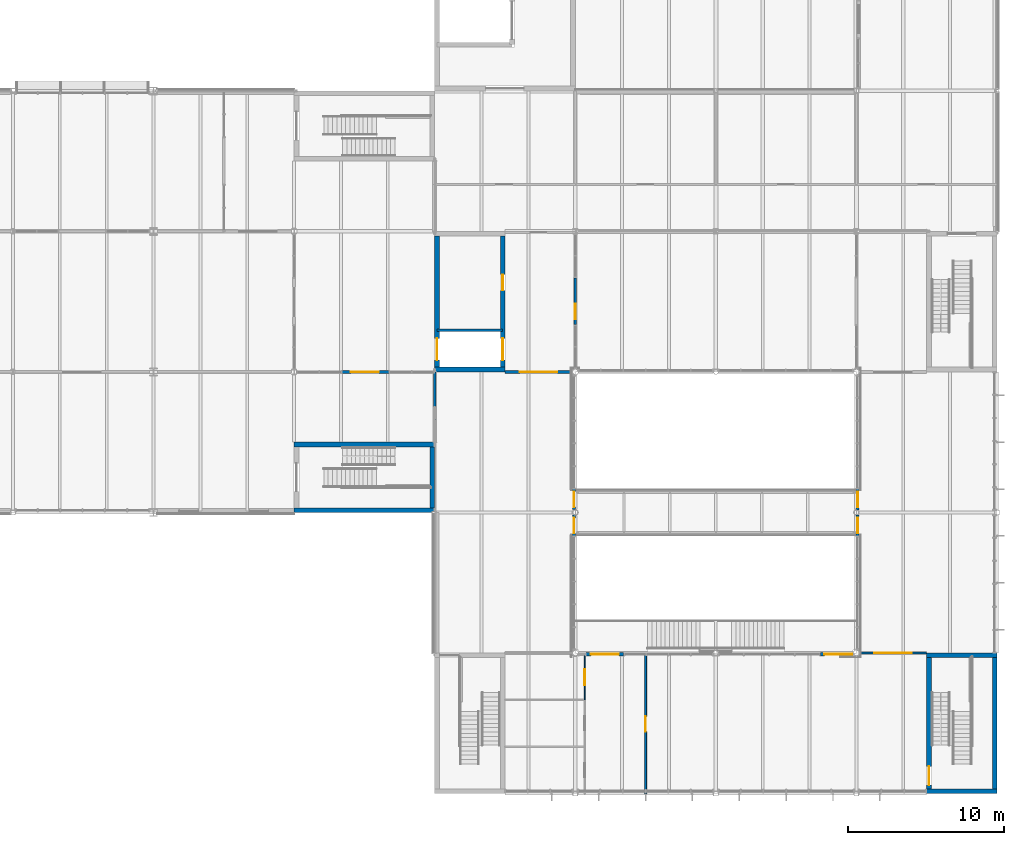
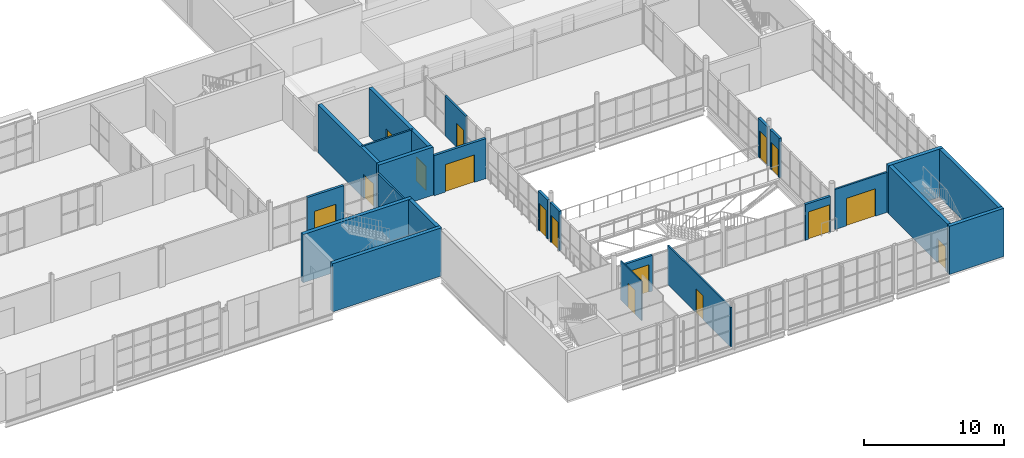
# One storey, part 43 of 61: 24 walls, 16 doors, 16 openings.
"""IFC4 building model written with IfcOpenShell, lengths in metres."""

from ifc_helpers import new_model, si_unit, direction, frame, frame_2d, origin, place, context, subcontext, project, spatial, rectangle, extrude, material, layer, layer_set, type_object, element, fill, save


model = new_model("IFC4")

# Units and contexts
model_context = context("Model", 3, precision=1e-05, world=origin(), true_north=direction((0.0, 1.0)))
body_context = subcontext(model_context, "Body", "Model", "MODEL_VIEW")
ifc_project = project(units=[si_unit("LENGTHUNIT", "METRE"), si_unit("AREAUNIT", "SQUARE_METRE"), si_unit("VOLUMEUNIT", "CUBIC_METRE"), si_unit("PLANEANGLEUNIT", "RADIAN"), si_unit("MASSUNIT", "GRAM", prefix="KILO")], contexts=[model_context])

# Site, building, storey
site_placement = place(None, origin())
site = spatial("IfcSite", under=ifc_project, at=site_placement, CompositionType="ELEMENT")
building_placement = place(site_placement, origin())
building = spatial("IfcBuilding", under=site, at=building_placement, Name="Halyard Row Museum", CompositionType="ELEMENT")
storey_placement = place(building_placement, frame((0.0, 0.0, 9.199951171875)))
storey = spatial("IfcBuildingStorey", under=building, at=storey_placement, Name="L02", CompositionType="ELEMENT", Elevation=9.199951171875)

# Wall, opening, door
ifc_material_1 = material(Name="Fire-resisting plasterboard on steel studs", Category="steel")
ifc_layer_1 = layer(ifc_material_1, 0.14990234375)
ifc_layer_set_1 = layer_set([ifc_layer_1], Name="Fire-resisting plasterboard on steel studs")
wall_type_1 = type_object("IfcWallType", Name="Compartment wall 150 fire rated", PredefinedType="PARTITIONING", material=ifc_layer_set_1)
wall_1_placement = place(storey_placement, frame((81.0, 30.021484375, 0.0), z_axis=(0.0, 0.0, 1.0), x_axis=(0.0, 1.0, 0.0)))
wall_1 = element("IfcWall", 1, at=wall_1_placement, inside=storey, type_object=wall_type_1, Name="Partition Lift Lobby L02 East / Digitisation Laboratory", PredefinedType="PARTITIONING", context=body_context, shape_type="SweptSolid", body=[
    extrude(rectangle(XDim=3.0, YDim=0.14990234375, at=frame_2d((1.5, 0.0))), origin(), (0.0, 0.0, 1.0), 3.501953125),
])
opening_1_placement = place(wall_1_placement, frame((0.35009765625, 0.0, 0.0)))
opening_1 = element("IfcOpeningElement", 2, at=opening_1_placement, cuts=wall_1, Name="Opening DL02-030", PredefinedType="OPENING", context=body_context, shape_type="SweptSolid", body=[
    extrude(rectangle(XDim=1.0, YDim=2.10009765625, at=frame_2d((0.5, 1.050048828125))), frame((0.0, 0.0849609375, 0.0), z_axis=(0.0, -1.0, 0.0), x_axis=(1.0, 0.0, 0.0)), (0.0, 0.0, 1.0), 0.169921875),
])
ifc_material_2 = material(Name="Fire-resisting timber door leaf and steel frame", Category="steel")
door_type_1 = type_object("IfcDoorType", Name="Compartment door 1000 x 2100 fire rated", OperationType="NOTDEFINED", PredefinedType="DOOR", material=ifc_material_2)
door_1_placement = place(opening_1_placement, frame((1.0, 0.0, 0.0), z_axis=(0.0, 0.0, 1.0), x_axis=(-1.0, 0.0, 0.0)))
door_1 = element("IfcDoor", 3, at=door_1_placement, inside=storey, type_object=door_type_1, Name="Door Digitisation Laboratory to Lift Lobby L02 East", OperationType="SINGLE_SWING_LEFT", OverallHeight=2.10009765625, OverallWidth=1.0, PredefinedType="DOOR", context=body_context, shape_type="SweptSolid", body=[
    extrude(rectangle(XDim=1.0, YDim=2.10009765625, at=frame_2d((0.5, 1.050048828125))), frame((0.0, 0.02490234375, 0.0), z_axis=(0.0, -1.0, 0.0), x_axis=(1.0, 0.0, 0.0)), (0.0, 0.0, 1.0), 0.050048828125),
])
fill(opening_1, door_1)

# Wall
ifc_material_3 = material(Name="Concrete 40 MPa", Category="concrete")
ifc_layer_2 = layer(ifc_material_3, 0.300048828125)
ifc_layer_set_2 = layer_set([ifc_layer_2], Name="Concrete 40 MPa")
wall_type_2 = type_object("IfcWallType", Name="Core wall 300 lift shaft", PredefinedType="SOLIDWALL", material=ifc_layer_set_2)
wall_2_placement = place(storey_placement, frame((72.0, 27.14990234375, 0.0), z_axis=(0.0, 0.0, 1.0), x_axis=(1.0, 0.0, 0.0)))
element("IfcWall", 4, at=wall_2_placement, inside=storey, type_object=wall_type_2, Name="Core wall K7 S L02", PredefinedType="SOLIDWALL", context=body_context, shape_type="SweptSolid", body=[
    extrude(rectangle(XDim=4.5, YDim=0.300048828125, at=frame_2d((2.25, 0.0))), origin(), (0.0, 0.0, 1.0), 4.199951171875),
])

# Wall, openings, doors
wall_3_placement = place(storey_placement, frame((76.35009765625, 27.300048828125, 0.0), z_axis=(0.0, 0.0, 1.0), x_axis=(0.0, 1.0, 0.0)))
wall_3 = element("IfcWall", 5, at=wall_3_placement, inside=storey, type_object=wall_type_2, Name="Core wall K7 E L02", PredefinedType="SOLIDWALL", context=body_context, shape_type="SweptSolid", body=[
    extrude(rectangle(XDim=8.39990234375, YDim=0.300048828125, at=frame_2d((4.199951171875, 0.0))), origin(), (0.0, 0.0, 1.0), 4.199951171875),
])
opening_2_placement = place(wall_3_placement, frame((0.449951171875, 0.0, 0.0)))
opening_2 = element("IfcOpeningElement", 6, at=opening_2_placement, cuts=wall_3, Name="Opening LDPL1-L02", PredefinedType="OPENING", context=body_context, shape_type="SweptSolid", body=[
    extrude(rectangle(XDim=1.39990234375, YDim=2.10009765625, at=frame_2d((0.699951171875, 1.050048828125))), frame((0.0, 0.159912109375, 0.0), z_axis=(0.0, -1.0, 0.0), x_axis=(1.0, 0.0, 0.0)), (0.0, 0.0, 1.0), 0.320068359375),
])
opening_3_placement = place(wall_3_placement, frame((4.925048828125, 0.0, 0.0)))
opening_3 = element("IfcOpeningElement", 7, at=opening_3_placement, cuts=wall_3, Name="Opening DL02-013", PredefinedType="OPENING", context=body_context, shape_type="SweptSolid", body=[
    extrude(rectangle(XDim=1.0, YDim=2.10009765625, at=frame_2d((0.5, 1.050048828125))), frame((0.0, 0.159912109375, 0.0), z_axis=(0.0, -1.0, 0.0), x_axis=(1.0, 0.0, 0.0)), (0.0, 0.0, 1.0), 0.320068359375),
])
ifc_material_4 = material(Name="Stainless steel sliding car and landing doors", Category="steel")
door_type_2 = type_object("IfcDoorType", Name="Lift landing door 1400 x 2100", OperationType="SLIDING_TO_LEFT", PredefinedType="DOOR", material=ifc_material_4)
door_2_placement = place(opening_2_placement, origin())
door_2 = element("IfcDoor", 8, at=door_2_placement, inside=storey, type_object=door_type_2, Name="Landing door PL1 E L02", OperationType="SLIDING_TO_LEFT", OverallHeight=2.10009765625, OverallWidth=1.39990234375, PredefinedType="DOOR", context=body_context, shape_type="SweptSolid", body=[
    extrude(rectangle(XDim=1.39990234375, YDim=2.10009765625, at=frame_2d((0.699951171875, 1.050048828125))), frame((0.0, 0.02490234375, 0.0), z_axis=(0.0, -1.0, 0.0), x_axis=(1.0, 0.0, 0.0)), (0.0, 0.0, 1.0), 0.050048828125),
])
fill(opening_2, door_2)
ifc_material_5 = material(Name="Galvanised steel door leaf and frame", Category="steel")
door_type_3 = type_object("IfcDoorType", Name="Riser door 1000 x 2100 fire rated", OperationType="NOTDEFINED", PredefinedType="DOOR", material=ifc_material_5)
door_3_placement = place(opening_3_placement, frame((1.0, 0.0, 0.0), z_axis=(0.0, 0.0, 1.0), x_axis=(-1.0, 0.0, 0.0)))
door_3 = element("IfcDoor", 9, at=door_3_placement, inside=storey, type_object=door_type_3, Name="Riser door K7 L02", OperationType="SINGLE_SWING_RIGHT", OverallHeight=2.10009765625, OverallWidth=1.0, PredefinedType="DOOR", context=body_context, shape_type="SweptSolid", body=[
    extrude(rectangle(XDim=1.0, YDim=2.10009765625, at=frame_2d((0.5, 1.050048828125))), frame((0.0, 0.02490234375, 0.0), z_axis=(0.0, -1.0, 0.0), x_axis=(1.0, 0.0, 0.0)), (0.0, 0.0, 1.0), 0.050048828125),
])
fill(opening_3, door_3)

# Wall, opening, door
wall_4_placement = place(storey_placement, frame((72.14990234375, 27.300048828125, 0.0), z_axis=(0.0, 0.0, 1.0), x_axis=(0.0, 1.0, 0.0)))
wall_4 = element("IfcWall", 10, at=wall_4_placement, inside=storey, type_object=wall_type_2, Name="Core wall K7 W L02", PredefinedType="SOLIDWALL", context=body_context, shape_type="SweptSolid", body=[
    extrude(rectangle(XDim=8.39990234375, YDim=0.300048828125, at=frame_2d((4.199951171875, 0.0))), origin(), (0.0, 0.0, 1.0), 4.199951171875),
])
opening_4_placement = place(wall_4_placement, frame((0.449951171875, 0.0, 0.0)))
opening_4 = element("IfcOpeningElement", 11, at=opening_4_placement, cuts=wall_4, Name="Opening LDPL1W-L02", PredefinedType="OPENING", context=body_context, shape_type="SweptSolid", body=[
    extrude(rectangle(XDim=1.39990234375, YDim=2.10009765625, at=frame_2d((0.699951171875, 1.050048828125))), frame((0.0, 0.159912109375, 0.0), z_axis=(0.0, -1.0, 0.0), x_axis=(1.0, 0.0, 0.0)), (0.0, 0.0, 1.0), 0.320068359375),
])
door_4_placement = place(opening_4_placement, origin())
door_4 = element("IfcDoor", 12, at=door_4_placement, inside=storey, type_object=door_type_2, Name="Landing door PL1 W L02", OperationType="SLIDING_TO_RIGHT", OverallHeight=2.10009765625, OverallWidth=1.39990234375, PredefinedType="DOOR", context=body_context, shape_type="SweptSolid", body=[
    extrude(rectangle(XDim=1.39990234375, YDim=2.10009765625, at=frame_2d((0.699951171875, 1.050048828125))), frame((0.0, 0.02490234375, 0.0), z_axis=(0.0, -1.0, 0.0), x_axis=(1.0, 0.0, 0.0)), (0.0, 0.0, 1.0), 0.050048828125),
])
fill(opening_4, door_4)

# Walls
ifc_material_6 = material(Name="Concrete 40 MPa", Category="concrete")
ifc_layer_3 = layer(ifc_material_6, 0.300048828125)
ifc_layer_set_3 = layer_set([ifc_layer_3], Name="Concrete 40 MPa")
wall_type_3 = type_object("IfcWallType", Name="Exitway wall 300 reinforced concrete", PredefinedType="SOLIDWALL", material=ifc_layer_set_3)
wall_5_placement = place(storey_placement, frame((63.0, 18.14990234375, 0.0), z_axis=(0.0, 0.0, 1.0), x_axis=(1.0, 0.0, 0.0)))
element("IfcWall", 13, at=wall_5_placement, inside=storey, type_object=wall_type_3, Name="Core wall K1C S L02", PredefinedType="SOLIDWALL", context=body_context, shape_type="SweptSolid", body=[
    extrude(rectangle(XDim=9.0, YDim=0.300048828125, at=frame_2d((4.5, 0.0))), origin(), (0.0, 0.0, 1.0), 4.199951171875),
])
wall_6_placement = place(storey_placement, frame((71.85009765625, 18.300048828125, 0.0), z_axis=(0.0, 0.0, 1.0), x_axis=(0.0, 1.0, 0.0)))
element("IfcWall", 14, at=wall_6_placement, inside=storey, type_object=wall_type_3, Name="Core wall K1C E L02", PredefinedType="SOLIDWALL", context=body_context, shape_type="SweptSolid", body=[
    extrude(rectangle(XDim=3.89990234375, YDim=0.300048828125, at=frame_2d((1.949951171875, 0.0))), origin(), (0.0, 0.0, 1.0), 4.199951171875),
])
wall_7_placement = place(storey_placement, frame((63.0, 22.35009765625, 0.0), z_axis=(0.0, 0.0, 1.0), x_axis=(1.0, 0.0, 0.0)))
element("IfcWall", 15, at=wall_7_placement, inside=storey, type_object=wall_type_3, Name="Core wall K1C N L02", PredefinedType="SOLIDWALL", context=body_context, shape_type="SweptSolid", body=[
    extrude(rectangle(XDim=9.0, YDim=0.300048828125, at=frame_2d((4.5, 0.0))), origin(), (0.0, 0.0, 1.0), 4.199951171875),
])
wall_8_placement = place(storey_placement, frame((103.5, 0.14990234375, 0.0), z_axis=(0.0, 0.0, 1.0), x_axis=(1.0, 0.0, 0.0)))
element("IfcWall", 16, at=wall_8_placement, inside=storey, type_object=wall_type_3, Name="Core wall K2B S L02", PredefinedType="SOLIDWALL", context=body_context, shape_type="SweptSolid", body=[
    extrude(rectangle(XDim=4.5, YDim=0.300048828125, at=frame_2d((2.25, 0.0))), origin(), (0.0, 0.0, 1.0), 4.199951171875),
])
wall_9_placement = place(storey_placement, frame((107.85009765625, 0.300048828125, 0.0), z_axis=(0.0, 0.0, 1.0), x_axis=(0.0, 1.0, 0.0)))
element("IfcWall", 17, at=wall_9_placement, inside=storey, type_object=wall_type_3, Name="Core wall K2B E L02", PredefinedType="SOLIDWALL", context=body_context, shape_type="SweptSolid", body=[
    extrude(rectangle(XDim=8.39990234375, YDim=0.300048828125, at=frame_2d((4.199951171875, 0.0))), origin(), (0.0, 0.0, 1.0), 4.199951171875),
])
wall_10_placement = place(storey_placement, frame((103.5, 8.85009765625, 0.0), z_axis=(0.0, 0.0, 1.0), x_axis=(1.0, 0.0, 0.0)))
element("IfcWall", 18, at=wall_10_placement, inside=storey, type_object=wall_type_3, Name="Core wall K2B N L02", PredefinedType="SOLIDWALL", context=body_context, shape_type="SweptSolid", body=[
    extrude(rectangle(XDim=4.5, YDim=0.300048828125, at=frame_2d((2.25, 0.0))), origin(), (0.0, 0.0, 1.0), 4.199951171875),
])

# Wall, opening, door
wall_11_placement = place(storey_placement, frame((103.64990234375, 0.300048828125, 0.0), z_axis=(0.0, 0.0, 1.0), x_axis=(0.0, 1.0, 0.0)))
wall_11 = element("IfcWall", 19, at=wall_11_placement, inside=storey, type_object=wall_type_3, Name="Core wall K2B W L02", PredefinedType="SOLIDWALL", context=body_context, shape_type="SweptSolid", body=[
    extrude(rectangle(XDim=8.39990234375, YDim=0.300048828125, at=frame_2d((4.199951171875, 0.0))), origin(), (0.0, 0.0, 1.0), 4.199951171875),
])
opening_5_placement = place(wall_11_placement, frame((0.25, 0.0, 0.0)))
opening_5 = element("IfcOpeningElement", 20, at=opening_5_placement, cuts=wall_11, Name="Opening DL02-006", PredefinedType="OPENING", context=body_context, shape_type="SweptSolid", body=[
    extrude(rectangle(XDim=1.199951171875, YDim=2.10009765625, at=frame_2d((0.60009765625, 1.050048828125))), frame((0.0, 0.159912109375, 0.0), z_axis=(0.0, -1.0, 0.0), x_axis=(1.0, 0.0, 0.0)), (0.0, 0.0, 1.0), 0.320068359375),
])
ifc_material_7 = material(Name="Fire-resisting timber door leaf and steel frame", Category="steel")
door_type_4 = type_object("IfcDoorType", Name="Exitway door 1200 x 2100 fire rated", OperationType="NOTDEFINED", PredefinedType="DOOR", material=ifc_material_7)
door_5_placement = place(opening_5_placement, frame((1.199951171875, 0.0, 0.0), z_axis=(0.0, 0.0, 1.0), x_axis=(-1.0, 0.0, 0.0)))
door_5 = element("IfcDoor", 21, at=door_5_placement, inside=storey, type_object=door_type_4, Name="Exitway door K2B L02", OperationType="SINGLE_SWING_LEFT", OverallHeight=2.10009765625, OverallWidth=1.199951171875, PredefinedType="DOOR", context=body_context, shape_type="SweptSolid", body=[
    extrude(rectangle(XDim=1.199951171875, YDim=2.10009765625, at=frame_2d((0.60009765625, 1.050048828125))), frame((0.0, 0.02490234375, 0.0), z_axis=(0.0, -1.0, 0.0), x_axis=(1.0, 0.0, 0.0)), (0.0, 0.0, 1.0), 0.050048828125),
])
fill(opening_5, door_5)

ifc_material_8 = material(Name="Powder-coated aluminium section", Category="aluminium")
ifc_layer_4 = layer(ifc_material_8, 0.199951171875)
ifc_layer_set_4 = layer_set([ifc_layer_4], Name="Powder-coated aluminium section")
wall_type_4 = type_object("IfcWallType", Name="Fire-resisting screen frame 200", PredefinedType="SOLIDWALL", material=ifc_layer_set_4)
wall_12_placement = place(storey_placement, frame((81.699951171875, 8.919921875, 0.0), z_axis=(0.0, 0.0, 1.0), x_axis=(1.0, 0.0, 0.0)))
wall_12 = element("IfcWall", 22, at=wall_12_placement, inside=storey, type_object=wall_type_4, Name="Wall WL02-817", PredefinedType="SOLIDWALL", context=body_context, shape_type="SweptSolid", body=[
    extrude(rectangle(XDim=2.400146484375, YDim=0.199951171875, at=frame_2d((1.2001953125, 0.0))), origin(), (0.0, 0.0, 1.0), 3.12451171875),
])
opening_6_placement = place(wall_12_placement, frame((0.300048828125, 0.0, 0.0)))
opening_6 = element("IfcOpeningElement", 23, at=opening_6_placement, cuts=wall_12, Name="Opening DL02-401", PredefinedType="OPENING", context=body_context, shape_type="SweptSolid", body=[
    extrude(rectangle(XDim=1.800048828125, YDim=2.39990234375, at=frame_2d((0.89990234375, 1.199951171875))), frame((0.0, 0.10986328125, 0.0), z_axis=(0.0, -1.0, 0.0), x_axis=(1.0, 0.0, 0.0)), (0.0, 0.0, 1.0), 0.219970703125),
])
ifc_material_9 = material(Name="Powder-coated aluminium section", Category="aluminium")
door_type_5 = type_object("IfcDoorType", Name="Door DE4 atrium screen 1800 x 2400", OperationType="NOTDEFINED", PredefinedType="DOOR", material=ifc_material_9)
door_6_placement = place(opening_6_placement, frame((1.800048828125, 0.0, 0.0), z_axis=(0.0, 0.0, 1.0), x_axis=(-1.0, 0.0, 0.0)))
door_6 = element("IfcDoor", 24, at=door_6_placement, inside=storey, type_object=door_type_5, Name="Door DL02-401", OperationType="DOUBLE_DOOR_SINGLE_SWING", OverallHeight=2.39990234375, OverallWidth=1.800048828125, PredefinedType="DOOR", context=body_context, shape_type="SweptSolid", body=[
    extrude(rectangle(XDim=1.800048828125, YDim=2.39990234375, at=frame_2d((0.89990234375, 1.199951171875))), frame((0.0, 0.02490234375, 0.0), z_axis=(0.0, -1.0, 0.0), x_axis=(1.0, 0.0, 0.0)), (0.0, 0.0, 1.0), 0.050048828125),
])
fill(opening_6, door_6)

wall_13_placement = place(storey_placement, frame((96.699951171875, 8.919921875, 0.0), z_axis=(0.0, 0.0, 1.0), x_axis=(1.0, 0.0, 0.0)))
wall_13 = element("IfcWall", 25, at=wall_13_placement, inside=storey, type_object=wall_type_4, Name="Wall WL02-818", PredefinedType="SOLIDWALL", context=body_context, shape_type="SweptSolid", body=[
    extrude(rectangle(XDim=2.096923828125, YDim=0.199951171875, at=frame_2d((1.04833984375, 0.0))), origin(), (0.0, 0.0, 1.0), 3.12451171875),
])
opening_7_placement = place(wall_13_placement, frame((0.246826171875, 0.0, 0.0)))
opening_7 = element("IfcOpeningElement", 26, at=opening_7_placement, cuts=wall_13, Name="Opening DL02-402", PredefinedType="OPENING", context=body_context, shape_type="SweptSolid", body=[
    extrude(rectangle(XDim=1.800048828125, YDim=2.39990234375, at=frame_2d((0.89990234375, 1.199951171875))), frame((0.0, 0.10986328125, 0.0), z_axis=(0.0, -1.0, 0.0), x_axis=(1.0, 0.0, 0.0)), (0.0, 0.0, 1.0), 0.219970703125),
])
door_7_placement = place(opening_7_placement, frame((1.800048828125, 0.0, 0.0), z_axis=(0.0, 0.0, 1.0), x_axis=(-1.0, 0.0, 0.0)))
door_7 = element("IfcDoor", 27, at=door_7_placement, inside=storey, type_object=door_type_5, Name="Door DL02-402", OperationType="DOUBLE_DOOR_SINGLE_SWING", OverallHeight=2.39990234375, OverallWidth=1.800048828125, PredefinedType="DOOR", context=body_context, shape_type="SweptSolid", body=[
    extrude(rectangle(XDim=1.800048828125, YDim=2.39990234375, at=frame_2d((0.89990234375, 1.199951171875))), frame((0.0, 0.02490234375, 0.0), z_axis=(0.0, -1.0, 0.0), x_axis=(1.0, 0.0, 0.0)), (0.0, 0.0, 1.0), 0.050048828125),
])
fill(opening_7, door_7)

wall_14_placement = place(storey_placement, frame((99.080078125, 16.5, 0.0), z_axis=(0.0, 0.0, 1.0), x_axis=(0.0, 1.0, 0.0)))
wall_14 = element("IfcWall", 28, at=wall_14_placement, inside=storey, type_object=wall_type_4, Name="Wall WL02-819", PredefinedType="SOLIDWALL", context=body_context, shape_type="SweptSolid", body=[
    extrude(rectangle(XDim=1.338134765625, YDim=0.199951171875, at=frame_2d((0.6689453125, 0.0))), origin(), (0.0, 0.0, 1.0), 3.427978515625),
])
opening_8_placement = place(wall_14_placement, frame((0.1689453125, 0.0, 0.0)))
opening_8 = element("IfcOpeningElement", 29, at=opening_8_placement, cuts=wall_14, Name="Opening DL02-403", PredefinedType="OPENING", context=body_context, shape_type="SweptSolid", body=[
    extrude(rectangle(XDim=1.0, YDim=2.39990234375, at=frame_2d((0.5, 1.199951171875))), frame((0.0, 0.10986328125, 0.0), z_axis=(0.0, -1.0, 0.0), x_axis=(1.0, 0.0, 0.0)), (0.0, 0.0, 1.0), 0.219970703125),
])
ifc_material_10 = material(Name="Powder-coated aluminium section", Category="aluminium")
door_type_6 = type_object("IfcDoorType", Name="Door DE10 atrium screen single 1000 x 2400", OperationType="NOTDEFINED", PredefinedType="DOOR", material=ifc_material_10)
door_8_placement = place(opening_8_placement, frame((1.0, 0.0, 0.0), z_axis=(0.0, 0.0, 1.0), x_axis=(-1.0, 0.0, 0.0)))
door_8 = element("IfcDoor", 30, at=door_8_placement, inside=storey, type_object=door_type_6, Name="Door DL02-403", OperationType="SINGLE_SWING_LEFT", OverallHeight=2.39990234375, OverallWidth=1.0, PredefinedType="DOOR", context=body_context, shape_type="SweptSolid", body=[
    extrude(rectangle(XDim=1.0, YDim=2.39990234375, at=frame_2d((0.5, 1.199951171875))), frame((0.0, 0.02490234375, 0.0), z_axis=(0.0, -1.0, 0.0), x_axis=(1.0, 0.0, 0.0)), (0.0, 0.0, 1.0), 0.050048828125),
])
fill(opening_8, door_8)

wall_15_placement = place(storey_placement, frame((99.080078125, 18.161865234375, 0.0), z_axis=(0.0, 0.0, 1.0), x_axis=(0.0, 1.0, 0.0)))
wall_15 = element("IfcWall", 31, at=wall_15_placement, inside=storey, type_object=wall_type_4, Name="Wall WL02-820", PredefinedType="SOLIDWALL", context=body_context, shape_type="SweptSolid", body=[
    extrude(rectangle(XDim=1.338134765625, YDim=0.199951171875, at=frame_2d((0.6689453125, 0.0))), origin(), (0.0, 0.0, 1.0), 3.427978515625),
])
opening_9_placement = place(wall_15_placement, frame((0.1689453125, 0.0, 0.0)))
opening_9 = element("IfcOpeningElement", 32, at=opening_9_placement, cuts=wall_15, Name="Opening DL02-404", PredefinedType="OPENING", context=body_context, shape_type="SweptSolid", body=[
    extrude(rectangle(XDim=1.0, YDim=2.39990234375, at=frame_2d((0.5, 1.199951171875))), frame((0.0, 0.10986328125, 0.0), z_axis=(0.0, -1.0, 0.0), x_axis=(1.0, 0.0, 0.0)), (0.0, 0.0, 1.0), 0.219970703125),
])
door_9_placement = place(opening_9_placement, frame((1.0, 0.0, 0.0), z_axis=(0.0, 0.0, 1.0), x_axis=(-1.0, 0.0, 0.0)))
door_9 = element("IfcDoor", 33, at=door_9_placement, inside=storey, type_object=door_type_6, Name="Door DL02-404", OperationType="SINGLE_SWING_LEFT", OverallHeight=2.39990234375, OverallWidth=1.0, PredefinedType="DOOR", context=body_context, shape_type="SweptSolid", body=[
    extrude(rectangle(XDim=1.0, YDim=2.39990234375, at=frame_2d((0.5, 1.199951171875))), frame((0.0, 0.02490234375, 0.0), z_axis=(0.0, -1.0, 0.0), x_axis=(1.0, 0.0, 0.0)), (0.0, 0.0, 1.0), 0.050048828125),
])
fill(opening_9, door_9)

wall_16_placement = place(storey_placement, frame((80.919921875, 18.177734375, 0.0), z_axis=(0.0, 0.0, 1.0), x_axis=(0.0, 1.0, 0.0)))
wall_16 = element("IfcWall", 34, at=wall_16_placement, inside=storey, type_object=wall_type_4, Name="Wall WL02-821", PredefinedType="SOLIDWALL", context=body_context, shape_type="SweptSolid", body=[
    extrude(rectangle(XDim=1.322265625, YDim=0.199951171875, at=frame_2d((0.6611328125, 0.0))), origin(), (0.0, 0.0, 1.0), 3.427978515625),
])
opening_10_placement = place(wall_16_placement, frame((0.1611328125, 0.0, 0.0)))
opening_10 = element("IfcOpeningElement", 35, at=opening_10_placement, cuts=wall_16, Name="Opening DL02-405", PredefinedType="OPENING", context=body_context, shape_type="SweptSolid", body=[
    extrude(rectangle(XDim=1.0, YDim=2.39990234375, at=frame_2d((0.5, 1.199951171875))), frame((0.0, 0.10986328125, 0.0), z_axis=(0.0, -1.0, 0.0), x_axis=(1.0, 0.0, 0.0)), (0.0, 0.0, 1.0), 0.219970703125),
])
door_10_placement = place(opening_10_placement, origin())
door_10 = element("IfcDoor", 36, at=door_10_placement, inside=storey, type_object=door_type_6, Name="Door DL02-405", OperationType="SINGLE_SWING_LEFT", OverallHeight=2.39990234375, OverallWidth=1.0, PredefinedType="DOOR", context=body_context, shape_type="SweptSolid", body=[
    extrude(rectangle(XDim=1.0, YDim=2.39990234375, at=frame_2d((0.5, 1.199951171875))), frame((0.0, 0.02490234375, 0.0), z_axis=(0.0, -1.0, 0.0), x_axis=(1.0, 0.0, 0.0)), (0.0, 0.0, 1.0), 0.050048828125),
])
fill(opening_10, door_10)

wall_17_placement = place(storey_placement, frame((80.919921875, 16.5, 0.0), z_axis=(0.0, 0.0, 1.0), x_axis=(0.0, 1.0, 0.0)))
wall_17 = element("IfcWall", 37, at=wall_17_placement, inside=storey, type_object=wall_type_4, Name="Wall WL02-822", PredefinedType="SOLIDWALL", context=body_context, shape_type="SweptSolid", body=[
    extrude(rectangle(XDim=1.322265625, YDim=0.199951171875, at=frame_2d((0.6611328125, 0.0))), origin(), (0.0, 0.0, 1.0), 3.427978515625),
])
opening_11_placement = place(wall_17_placement, frame((0.1611328125, 0.0, 0.0)))
opening_11 = element("IfcOpeningElement", 38, at=opening_11_placement, cuts=wall_17, Name="Opening DL02-406", PredefinedType="OPENING", context=body_context, shape_type="SweptSolid", body=[
    extrude(rectangle(XDim=1.0, YDim=2.39990234375, at=frame_2d((0.5, 1.199951171875))), frame((0.0, 0.10986328125, 0.0), z_axis=(0.0, -1.0, 0.0), x_axis=(1.0, 0.0, 0.0)), (0.0, 0.0, 1.0), 0.219970703125),
])
door_11_placement = place(opening_11_placement, origin())
door_11 = element("IfcDoor", 39, at=door_11_placement, inside=storey, type_object=door_type_6, Name="Door DL02-406", OperationType="SINGLE_SWING_LEFT", OverallHeight=2.39990234375, OverallWidth=1.0, PredefinedType="DOOR", context=body_context, shape_type="SweptSolid", body=[
    extrude(rectangle(XDim=1.0, YDim=2.39990234375, at=frame_2d((0.5, 1.199951171875))), frame((0.0, 0.02490234375, 0.0), z_axis=(0.0, -1.0, 0.0), x_axis=(1.0, 0.0, 0.0)), (0.0, 0.0, 1.0), 0.050048828125),
])
fill(opening_11, door_11)

# Wall
ifc_material_11 = material(Name="Plasterboard on steel studs with mineral wool", Category="steel")
ifc_layer_5 = layer(ifc_material_11, 0.14990234375)
ifc_layer_set_5 = layer_set([ifc_layer_5], Name="Plasterboard on steel studs with mineral wool")
wall_type_5 = type_object("IfcWallType", Name="Gallery wall 150", PredefinedType="PARTITIONING", material=ifc_layer_set_5)
wall_18_placement = place(storey_placement, frame((72.0, 22.5, 0.0), z_axis=(0.0, 0.0, 1.0), x_axis=(0.0, 1.0, 0.0)))
element("IfcWall", 40, at=wall_18_placement, inside=storey, type_object=wall_type_5, Name="Partition Permanent Gallery Craft / Permanent Gallery Settlement L02", PredefinedType="PARTITIONING", context=body_context, shape_type="SweptSolid", body=[
    extrude(rectangle(XDim=4.5, YDim=0.14990234375, at=frame_2d((2.25, 0.0))), origin(), (0.0, 0.0, 1.0), 3.501953125),
])

# Wall, opening, door
wall_19_placement = place(storey_placement, frame((99.203125, 9.0, 0.0), z_axis=(0.0, 0.0, 1.0), x_axis=(1.0, 0.0, 0.0)))
wall_19 = element("IfcWall", 41, at=wall_19_placement, inside=storey, type_object=wall_type_5, Name="Partition Permanent Gallery Natural History / Permanent Gallery Photography", PredefinedType="PARTITIONING", context=body_context, shape_type="SweptSolid", body=[
    extrude(rectangle(XDim=4.296875, YDim=0.14990234375, at=frame_2d((2.1484375, 0.0))), origin(), (0.0, 0.0, 1.0), 3.501953125),
])
opening_12_placement = place(wall_19_placement, frame((0.949951171875, 0.0, 0.0)))
opening_12 = element("IfcOpeningElement", 42, at=opening_12_placement, cuts=wall_19, Name="Opening DL02-021", PredefinedType="OPENING", context=body_context, shape_type="SweptSolid", body=[
    extrude(rectangle(XDim=2.39990234375, YDim=2.39990234375, at=frame_2d((1.199951171875, 1.199951171875))), frame((0.0, 0.0849609375, 0.0), z_axis=(0.0, -1.0, 0.0), x_axis=(1.0, 0.0, 0.0)), (0.0, 0.0, 1.0), 0.169921875),
])
ifc_material_12 = material(Name="Timber veneered door leaf and softwood frame", Category="wood")
door_type_7 = type_object("IfcDoorType", Name="Double door 2400 x 2400 gallery", OperationType="NOTDEFINED", PredefinedType="DOOR", material=ifc_material_12)
door_12_placement = place(opening_12_placement, frame((2.39990234375, 0.0, 0.0), z_axis=(0.0, 0.0, 1.0), x_axis=(-1.0, 0.0, 0.0)))
door_12 = element("IfcDoor", 43, at=door_12_placement, inside=storey, type_object=door_type_7, Name="Door Permanent Gallery Natural History to Permanent Gallery Photography", OperationType="DOUBLE_DOOR_SINGLE_SWING", OverallHeight=2.39990234375, OverallWidth=2.39990234375, PredefinedType="DOOR", context=body_context, shape_type="SweptSolid", body=[
    extrude(rectangle(XDim=2.39990234375, YDim=2.39990234375, at=frame_2d((1.199951171875, 1.199951171875))), frame((0.0, 0.02490234375, 0.0), z_axis=(0.0, -1.0, 0.0), x_axis=(1.0, 0.0, 0.0)), (0.0, 0.0, 1.0), 0.050048828125),
])
fill(opening_12, door_12)

ifc_material_13 = material(Name="Plasterboard on steel studs with mineral wool", Category="steel")
ifc_layer_6 = layer(ifc_material_13, 0.199951171875)
ifc_layer_set_6 = layer_set([ifc_layer_6], Name="Plasterboard on steel studs with mineral wool")
wall_type_6 = type_object("IfcWallType", Name="Gallery wall 200 double stud fire rated", PredefinedType="PARTITIONING", material=ifc_layer_set_6)
wall_20_placement = place(storey_placement, frame((66.076171875, 27.0, 0.0), z_axis=(0.0, 0.0, 1.0), x_axis=(1.0, 0.0, 0.0)))
wall_20 = element("IfcWall", 44, at=wall_20_placement, inside=storey, type_object=wall_type_6, Name="Partition Permanent Gallery Craft / Lift Lobby L02 West", PredefinedType="PARTITIONING", context=body_context, shape_type="SweptSolid", body=[
    extrude(rectangle(XDim=3.0, YDim=0.199951171875, at=frame_2d((1.5, 0.0))), origin(), (0.0, 0.0, 1.0), 3.501953125),
])
opening_13_placement = place(wall_20_placement, frame((0.550048828125, 0.0, 0.0)))
opening_13 = element("IfcOpeningElement", 45, at=opening_13_placement, cuts=wall_20, Name="Opening DL02-017", PredefinedType="OPENING", context=body_context, shape_type="SweptSolid", body=[
    extrude(rectangle(XDim=1.800048828125, YDim=2.10009765625, at=frame_2d((0.89990234375, 1.050048828125))), frame((0.0, 0.10986328125, 0.0), z_axis=(0.0, -1.0, 0.0), x_axis=(1.0, 0.0, 0.0)), (0.0, 0.0, 1.0), 0.219970703125),
])
ifc_material_14 = material(Name="Timber veneered door leaf and softwood frame", Category="wood")
door_type_8 = type_object("IfcDoorType", Name="Double door 1800 x 2100 fire rated", OperationType="NOTDEFINED", PredefinedType="DOOR", material=ifc_material_14)
door_13_placement = place(opening_13_placement, frame((1.800048828125, 0.0, 0.0), z_axis=(0.0, 0.0, 1.0), x_axis=(-1.0, 0.0, 0.0)))
door_13 = element("IfcDoor", 46, at=door_13_placement, inside=storey, type_object=door_type_8, Name="Door Permanent Gallery Craft to Lift Lobby L02 West", OperationType="DOUBLE_DOOR_SINGLE_SWING", OverallHeight=2.10009765625, OverallWidth=1.800048828125, PredefinedType="DOOR", context=body_context, shape_type="SweptSolid", body=[
    extrude(rectangle(XDim=1.800048828125, YDim=2.10009765625, at=frame_2d((0.89990234375, 1.050048828125))), frame((0.0, 0.02490234375, 0.0), z_axis=(0.0, -1.0, 0.0), x_axis=(1.0, 0.0, 0.0)), (0.0, 0.0, 1.0), 0.050048828125),
])
fill(opening_13, door_13)

wall_21_placement = place(storey_placement, frame((76.5, 27.0, 0.0), z_axis=(0.0, 0.0, 1.0), x_axis=(1.0, 0.0, 0.0)))
wall_21 = element("IfcWall", 47, at=wall_21_placement, inside=storey, type_object=wall_type_6, Name="Partition Permanent Gallery Settlement L02 / Lift Lobby L02 East", PredefinedType="PARTITIONING", context=body_context, shape_type="SweptSolid", body=[
    extrude(rectangle(XDim=4.296875, YDim=0.199951171875, at=frame_2d((2.1484375, 0.0))), origin(), (0.0, 0.0, 1.0), 3.501953125),
])
opening_14_placement = place(wall_21_placement, frame((0.955078125, 0.0, 0.0)))
opening_14 = element("IfcOpeningElement", 48, at=opening_14_placement, cuts=wall_21, Name="Opening DL02-022", PredefinedType="OPENING", context=body_context, shape_type="SweptSolid", body=[
    extrude(rectangle(XDim=2.39990234375, YDim=2.39990234375, at=frame_2d((1.199951171875, 1.199951171875))), frame((0.0, 0.10986328125, 0.0), z_axis=(0.0, -1.0, 0.0), x_axis=(1.0, 0.0, 0.0)), (0.0, 0.0, 1.0), 0.219970703125),
])
ifc_material_15 = material(Name="Timber veneered door leaf and softwood frame", Category="wood")
door_type_9 = type_object("IfcDoorType", Name="Double door 2400 x 2400 gallery fire rated", OperationType="NOTDEFINED", PredefinedType="DOOR", material=ifc_material_15)
door_14_placement = place(opening_14_placement, frame((2.39990234375, 0.0, 0.0), z_axis=(0.0, 0.0, 1.0), x_axis=(-1.0, 0.0, 0.0)))
door_14 = element("IfcDoor", 49, at=door_14_placement, inside=storey, type_object=door_type_9, Name="Door Permanent Gallery Settlement L02 to Lift Lobby L02 East", OperationType="DOUBLE_DOOR_SINGLE_SWING", OverallHeight=2.39990234375, OverallWidth=2.39990234375, PredefinedType="DOOR", context=body_context, shape_type="SweptSolid", body=[
    extrude(rectangle(XDim=2.39990234375, YDim=2.39990234375, at=frame_2d((1.199951171875, 1.199951171875))), frame((0.0, 0.02490234375, 0.0), z_axis=(0.0, -1.0, 0.0), x_axis=(1.0, 0.0, 0.0)), (0.0, 0.0, 1.0), 0.050048828125),
])
fill(opening_14, door_14)

# Wall
ifc_material_16 = material(Name="Concrete 40 MPa", Category="concrete")
ifc_layer_7 = layer(ifc_material_16, 0.14990234375)
ifc_layer_set_7 = layer_set([ifc_layer_7], Name="Concrete 40 MPa")
wall_type_7 = type_object("IfcWallType", Name="Lift shaft divider 150", PredefinedType="SOLIDWALL", material=ifc_layer_set_7)
wall_22_placement = place(storey_placement, frame((72.14990234375, 29.675048828125, 0.0), z_axis=(0.0, 0.0, 1.0), x_axis=(1.0, 0.0, 0.0)))
element("IfcWall", 50, at=wall_22_placement, inside=storey, type_object=wall_type_7, Name="Shaft divider PL1 L02", PredefinedType="SOLIDWALL", context=body_context, shape_type="SweptSolid", body=[
    extrude(rectangle(XDim=4.2001953125, YDim=0.14990234375, at=frame_2d((2.10009765625, 0.0))), origin(), (0.0, 0.0, 1.0), 4.199951171875),
])

# Wall, opening, door
ifc_material_17 = material(Name="Plasterboard on steel studs with mineral wool", Category="steel")
ifc_layer_8 = layer(ifc_material_17, 0.125)
ifc_layer_set_8 = layer_set([ifc_layer_8], Name="Plasterboard on steel studs with mineral wool")
wall_type_8 = type_object("IfcWallType", Name="Stud partition 125 fire rated", PredefinedType="PARTITIONING", material=ifc_layer_set_8)
wall_23_placement = place(storey_placement, frame((85.5, 0.0, 0.0), z_axis=(0.0, 0.0, 1.0), x_axis=(0.0, 1.0, 0.0)))
wall_23 = element("IfcWall", 51, at=wall_23_placement, inside=storey, type_object=wall_type_8, Name="Partition Permanent Gallery Natural History / WC Lobby L02", PredefinedType="PARTITIONING", context=body_context, shape_type="SweptSolid", body=[
    extrude(rectangle(XDim=9.0, YDim=0.125, at=frame_2d((4.5, 0.0))), origin(), (0.0, 0.0, 1.0), 3.427978515625),
])
opening_15_placement = place(wall_23_placement, frame((3.949951171875, 0.0, 0.0)))
opening_15 = element("IfcOpeningElement", 52, at=opening_15_placement, cuts=wall_23, Name="Opening DL02-033", PredefinedType="OPENING", context=body_context, shape_type="SweptSolid", body=[
    extrude(rectangle(XDim=1.0, YDim=2.10009765625, at=frame_2d((0.5, 1.050048828125))), frame((0.0, 0.072509765625, 0.0), z_axis=(0.0, -1.0, 0.0), x_axis=(1.0, 0.0, 0.0)), (0.0, 0.0, 1.0), 0.14501953125),
])
ifc_material_18 = material(Name="Timber veneered door leaf and softwood frame", Category="wood")
door_type_10 = type_object("IfcDoorType", Name="Single door 1000 x 2100 fire rated", OperationType="NOTDEFINED", PredefinedType="DOOR", material=ifc_material_18)
door_15_placement = place(opening_15_placement, origin())
door_15 = element("IfcDoor", 53, at=door_15_placement, inside=storey, type_object=door_type_10, Name="Door WC Lobby L02 to Permanent Gallery Natural History", OperationType="SINGLE_SWING_LEFT", OverallHeight=2.10009765625, OverallWidth=1.0, PredefinedType="DOOR", context=body_context, shape_type="SweptSolid", body=[
    extrude(rectangle(XDim=1.0, YDim=2.10009765625, at=frame_2d((0.5, 1.050048828125))), frame((0.0, 0.02490234375, 0.0), z_axis=(0.0, -1.0, 0.0), x_axis=(1.0, 0.0, 0.0)), (0.0, 0.0, 1.0), 0.050048828125),
])
fill(opening_15, door_15)

ifc_material_19 = material(Name="Plasterboard on steel studs with mineral wool", Category="steel")
ifc_layer_9 = layer(ifc_material_19, 0.074951171875)
ifc_layer_set_9 = layer_set([ifc_layer_9], Name="Plasterboard on steel studs with mineral wool")
wall_type_9 = type_object("IfcWallType", Name="WC cubicle partition 75 fire rated", PredefinedType="PARTITIONING", material=ifc_layer_set_9)
wall_24_placement = place(storey_placement, frame((81.60009765625, 6.0, 0.0), z_axis=(0.0, 0.0, 1.0), x_axis=(0.0, 1.0, 0.0)))
wall_24 = element("IfcWall", 54, at=wall_24_placement, inside=storey, type_object=wall_type_9, Name="Partition WC Lobby L02 / Accessible WC L02", PredefinedType="PARTITIONING", context=body_context, shape_type="SweptSolid", body=[
    extrude(rectangle(XDim=3.0, YDim=0.074951171875, at=frame_2d((1.5, 0.0))), origin(), (0.0, 0.0, 1.0), 3.427978515625),
])
opening_16_placement = place(wall_24_placement, frame((0.949951171875, 0.0, 0.0)))
opening_16 = element("IfcOpeningElement", 55, at=opening_16_placement, cuts=wall_24, Name="Opening DL02-036", PredefinedType="OPENING", context=body_context, shape_type="SweptSolid", body=[
    extrude(rectangle(XDim=1.0, YDim=2.10009765625, at=frame_2d((0.5, 1.050048828125))), frame((0.0, 0.04736328125, 0.0), z_axis=(0.0, -1.0, 0.0), x_axis=(1.0, 0.0, 0.0)), (0.0, 0.0, 1.0), 0.094970703125),
])
door_16_placement = place(opening_16_placement, origin())
door_16 = element("IfcDoor", 56, at=door_16_placement, inside=storey, type_object=door_type_10, Name="Door Accessible WC L02 to WC Lobby L02", OperationType="SINGLE_SWING_RIGHT", OverallHeight=2.10009765625, OverallWidth=1.0, PredefinedType="DOOR", context=body_context, shape_type="SweptSolid", body=[
    extrude(rectangle(XDim=1.0, YDim=2.10009765625, at=frame_2d((0.5, 1.050048828125))), frame((0.0, 0.02490234375, 0.0), z_axis=(0.0, -1.0, 0.0), x_axis=(1.0, 0.0, 0.0)), (0.0, 0.0, 1.0), 0.050048828125),
])
fill(opening_16, door_16)

save(model, "model.ifc")
